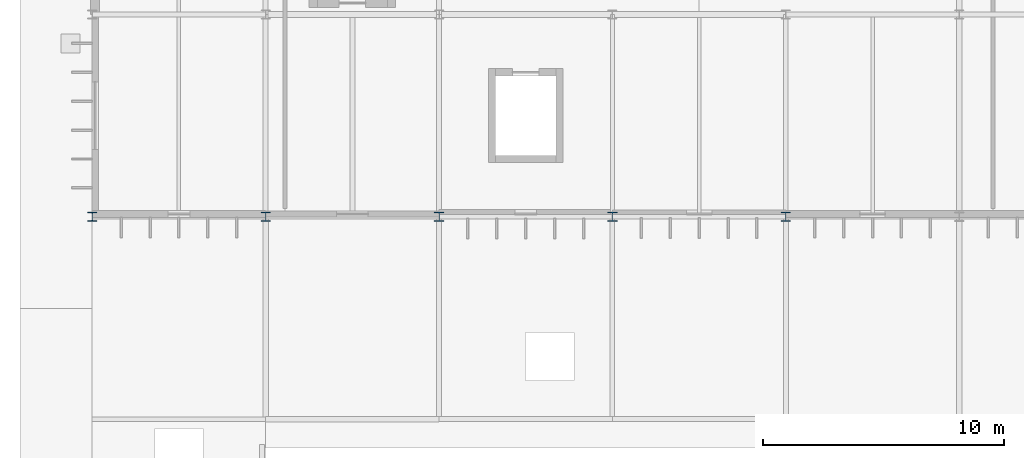
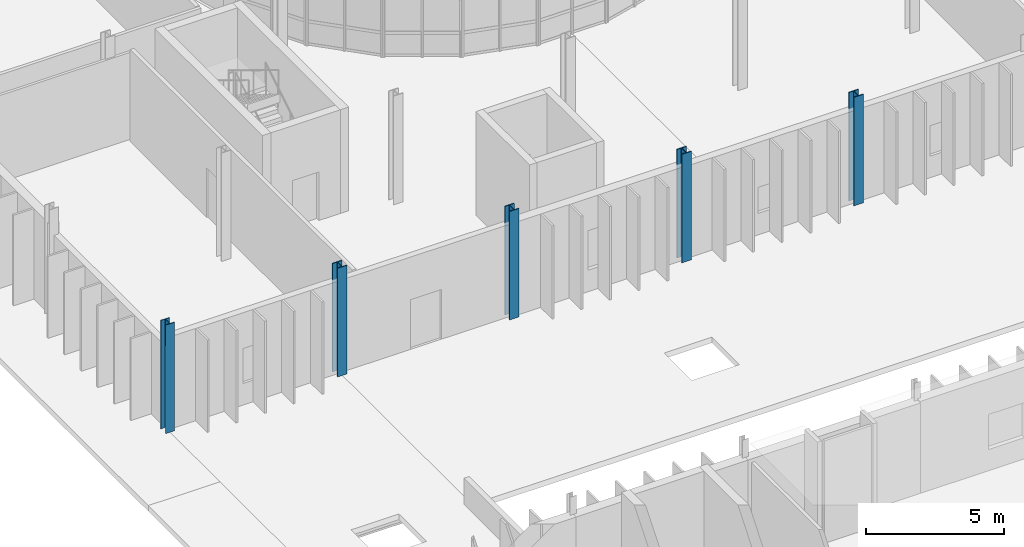
# One storey, part 11 of 118: 5 columns.
"""IFC4 building model written with IfcOpenShell, lengths in metres."""

from ifc_helpers import new_model, si_unit, direction, frame, origin, origin_2d, place, context, subcontext, project, spatial, i_section, extrude, material, material_profile, profile_set, type_object, element, save


model = new_model("IFC4")

# Units and contexts
model_context = context("Model", 3, precision=1e-05, world=origin(), true_north=direction((0.0, 1.0)))
body_context = subcontext(model_context, "Body", "Model", "MODEL_VIEW")
ifc_project = project(units=[si_unit("LENGTHUNIT", "METRE"), si_unit("AREAUNIT", "SQUARE_METRE"), si_unit("VOLUMEUNIT", "CUBIC_METRE"), si_unit("PLANEANGLEUNIT", "RADIAN"), si_unit("MASSUNIT", "GRAM", prefix="KILO")], contexts=[model_context])

# Site, building, storey
site_placement = place(None, origin())
site = spatial("IfcSite", under=ifc_project, at=site_placement, CompositionType="ELEMENT")
building_placement = place(site_placement, origin())
building = spatial("IfcBuilding", under=site, at=building_placement, Name="Qelthora Terrace Specialist Clinic", CompositionType="ELEMENT")
storey_placement = place(building_placement, origin())
storey = spatial("IfcBuildingStorey", under=building, at=storey_placement, Name="L00", CompositionType="ELEMENT", Elevation=0.0)

# Columns
ifc_material = material(Name="Steel S355", Category="steel")
ifc_material_profile_1 = material_profile(ifc_material, i_section(OverallWidth=0.37109375, OverallDepth=0.364013671875, WebThickness=0.01318359375, FlangeThickness=0.021728515625, FilletRadius=0.02001953125, at=origin_2d()), Name="W360X162")
ifc_profile_set_1 = profile_set([ifc_material_profile_1], Name="Steel S355")
column_type_1 = type_object("IfcColumnType", Name="COL-W360X162", PredefinedType="COLUMN", material=ifc_profile_set_1)
column_1_placement = place(storey_placement, frame((0.0, 58.800048828125, 0.0), z_axis=(0.0, 0.0, 1.0), x_axis=(1.0, 0.0, 0.0)))
element("IfcColumn", 1, at=column_1_placement, inside=storey, type_object=column_type_1, Name="Column L00-008", PredefinedType="COLUMN", context=body_context, shape_type="SweptSolid", body=[
    extrude(i_section(OverallWidth=0.37109375, OverallDepth=0.364013671875, WebThickness=0.01318359375, FlangeThickness=0.021728515625, FilletRadius=0.02001953125, at=origin_2d()), origin(), (0.0, 0.0, 1.0), 4.800048828125),
])
ifc_material_profile_2 = material_profile(ifc_material, i_section(OverallWidth=0.39794921875, OverallDepth=0.386962890625, WebThickness=0.02099609375, FlangeThickness=0.033203125, FilletRadius=0.02001953125, at=origin_2d()), Name="W360X262")
ifc_profile_set_2 = profile_set([ifc_material_profile_2], Name="Steel S355")
column_type_2 = type_object("IfcColumnType", Name="COL-W360X262", PredefinedType="COLUMN", material=ifc_profile_set_2)
column_2_placement = place(storey_placement, frame((28.800048828125, 58.800048828125, 0.0), z_axis=(0.0, 0.0, 1.0), x_axis=(1.0, 0.0, 0.0)))
element("IfcColumn", 2, at=column_2_placement, inside=storey, type_object=column_type_2, Name="Column L00-061", PredefinedType="COLUMN", context=body_context, shape_type="SweptSolid", body=[
    extrude(i_section(OverallWidth=0.39794921875, OverallDepth=0.386962890625, WebThickness=0.02099609375, FlangeThickness=0.033203125, FilletRadius=0.02001953125, at=origin_2d()), origin(), (0.0, 0.0, 1.0), 4.800048828125),
])
ifc_material_profile_3 = material_profile(ifc_material, i_section(OverallWidth=0.39892578125, OverallDepth=0.39306640625, WebThickness=0.022705078125, FlangeThickness=0.035888671875, FilletRadius=0.02001953125, at=origin_2d()), Name="W360X287")
ifc_profile_set_3 = profile_set([ifc_material_profile_3], Name="Steel S355")
column_type_3 = type_object("IfcColumnType", Name="COL-W360X287", PredefinedType="COLUMN", material=ifc_profile_set_3)
for number, where, z_axis, x_axis, name in (
    (3, (7.199951171875, 58.800048828125, 0.0), (0.0, 0.0, 1.0), (1.0, 0.0, 0.0), "Column L00-022"),
    (4, (14.39990234375, 58.800048828125, 0.0), (0.0, 0.0, 1.0), (1.0, 0.0, 0.0), "Column L00-036"),
    (5, (21.60009765625, 58.800048828125, 0.0), (0.0, 0.0, 1.0), (1.0, 0.0, 0.0), "Column L00-050"),
):
    element("IfcColumn", number, at=place(storey_placement, frame(where, z_axis=z_axis, x_axis=x_axis)), inside=storey, type_object=column_type_3, Name=name, PredefinedType="COLUMN", context=body_context, shape_type="SweptSolid", body=[
        extrude(i_section(OverallWidth=0.39892578125, OverallDepth=0.39306640625, WebThickness=0.022705078125, FlangeThickness=0.035888671875, FilletRadius=0.02001953125, at=origin_2d()), origin(), (0.0, 0.0, 1.0), 4.800048828125),
    ])

save(model, "model.ifc")
